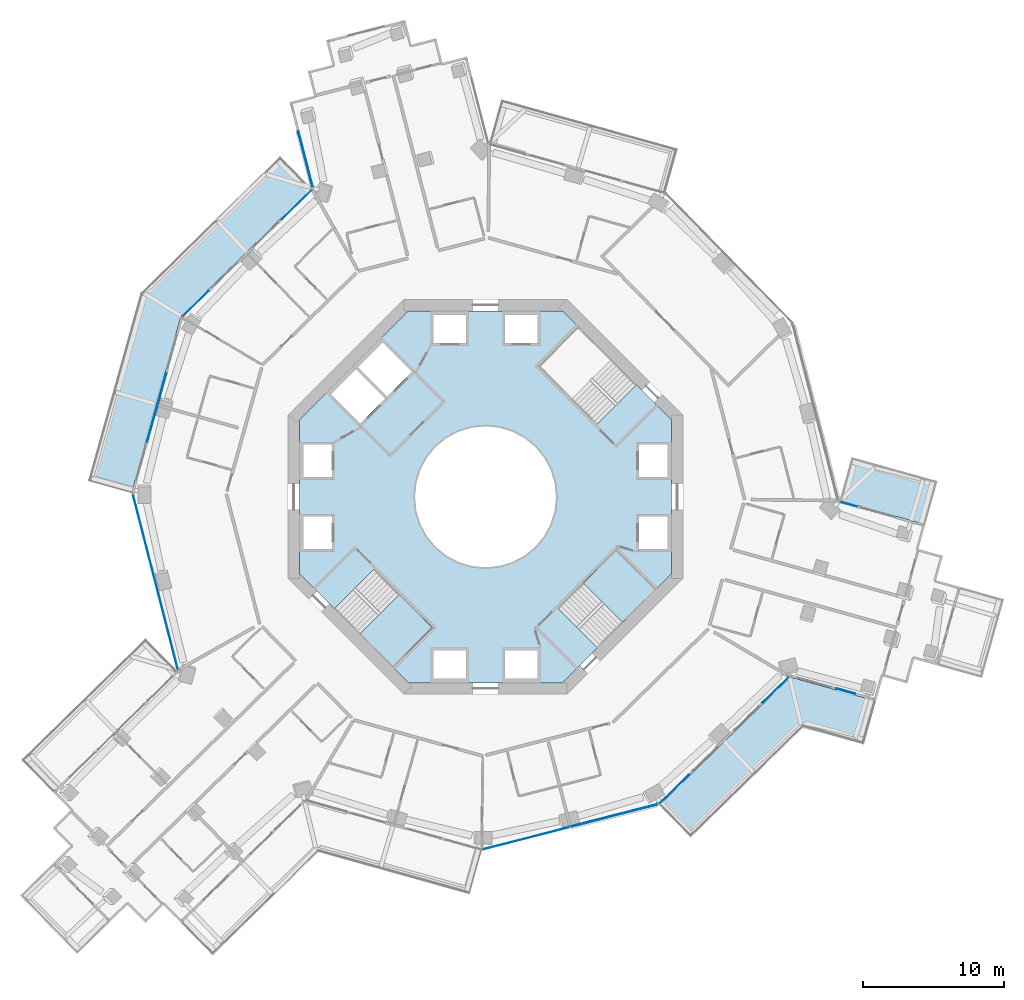
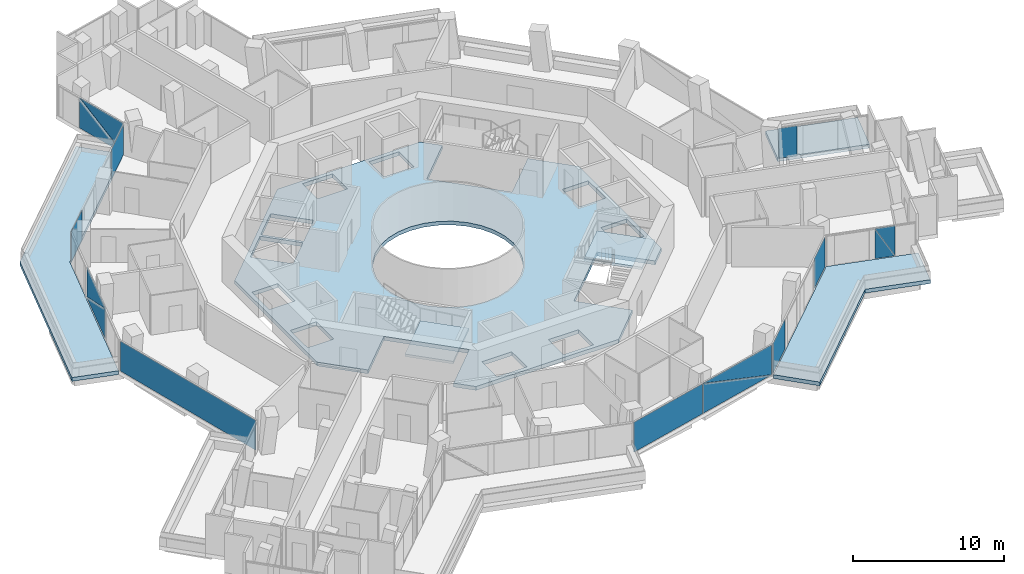
# One storey, part 14 of 26: 15 plates, 6 slabs, 10 elements without a shape of their own.
"""IFC4 building model written with IfcOpenShell, lengths in metres."""

from ifc_helpers import new_model, si_unit, direction, frame, origin, origin_2d, place, context, subcontext, project, spatial, polyline, rectangle, outline, extrude, material, layer, layer_set, type_object, element, aggregate, save


model = new_model("IFC4")

# Units and contexts
model_context = context("Model", 3, precision=1e-05, world=origin(), true_north=direction((0.0, 1.0)))
body_context = subcontext(model_context, "Body", "Model", "MODEL_VIEW")
ifc_project = project(units=[si_unit("LENGTHUNIT", "METRE"), si_unit("AREAUNIT", "SQUARE_METRE"), si_unit("VOLUMEUNIT", "CUBIC_METRE"), si_unit("PLANEANGLEUNIT", "RADIAN"), si_unit("MASSUNIT", "GRAM", prefix="KILO")], contexts=[model_context])

# Site, building, storey
site_placement = place(None, origin())
site = spatial("IfcSite", under=ifc_project, at=site_placement, CompositionType="ELEMENT")
building_placement = place(site_placement, origin())
building = spatial("IfcBuilding", under=site, at=building_placement, Name="Verdalira Terraces Hotel", CompositionType="ELEMENT")
storey_placement = place(building_placement, frame((0.0, 0.0, 93.0)))
storey = spatial("IfcBuildingStorey", under=building, at=storey_placement, Name="L21", CompositionType="ELEMENT", Elevation=93.0)

# Slabs
ifc_material_1 = material(Name="Precast concrete C40/50", Category="concrete")
ifc_layer_1 = layer(ifc_material_1, 0.31005859375)
ifc_layer_set_1 = layer_set([ifc_layer_1], Name="Balcony deck 310")
slab_type_1 = type_object("IfcSlabType", Name="Balcony deck 310", PredefinedType="FLOOR", material=ifc_layer_set_1)
slab_1_placement = place(storey_placement, frame((0.0, 0.0, -0.310059)))
element("IfcSlab", 1, at=slab_1_placement, inside=storey, type_object=slab_type_1, Name="Balcony deck", PredefinedType="FLOOR", context=body_context, shape_type="SweptSolid", body=[
    extrude(outline(polyline([(-24.468262, 14.470459), (-28.194824, 1.123535), (-25.112793, 0.262939), (-21.616699, 12.78418), (-12.328613, 21.879639), (-14.567627, 24.166016), (-24.468262, 14.470459)])), origin(), (0.0, 0.0, 1.0), 0.310059),
])
slab_2_placement = place(storey_placement, frame((0.0, 0.0, -0.310059)))
element("IfcSlab", 2, at=slab_2_placement, inside=storey, type_object=slab_type_1, Name="Balcony deck", PredefinedType="FLOOR", context=body_context, shape_type="SweptSolid", body=[
    extrude(outline(polyline([(26.847168, -17.566895), (27.707764, -14.484863), (21.616699, -12.78418), (12.328613, -21.879639), (14.567627, -24.166016), (22.535645, -16.363037), (26.847168, -17.566895)])), origin(), (0.0, 0.0, 1.0), 0.310059),
])
slab_3_placement = place(storey_placement, frame((0.0, 0.0, -0.310059)))
element("IfcSlab", 3, at=slab_3_placement, inside=storey, type_object=slab_type_1, Name="Balcony deck", PredefinedType="FLOOR", context=body_context, shape_type="SweptSolid", body=[
    extrude(outline(polyline([(25.973145, 2.819092), (25.112793, -0.262939), (31.203613, -1.963623), (32.064209, 1.118408), (25.973145, 2.819092)])), origin(), (0.0, 0.0, 1.0), 0.310059),
])

# Curtain wall, plates
ifc_material_2 = material(Name="Clear glass", Category="glass")
ifc_layer_2 = layer(ifc_material_2, 0.14990234375)
ifc_layer_set_2 = layer_set([ifc_layer_2], Name="CW1 curtain wall")
curtain_wall_type_1 = type_object("IfcCurtainWallType", Name="CW1 curtain wall", PredefinedType="NOTDEFINED", material=ifc_layer_set_2)
curtain_wall_1_placement = place(storey_placement, origin())
curtain_wall_1 = element("IfcCurtainWall", 4, at=curtain_wall_1_placement, inside=storey, type_object=curtain_wall_type_1, Name="CW1 curtain wall L21 edge 11", PredefinedType="NOTDEFINED")
ifc_material_3 = material(Name="Clear glass", Category="glass")
ifc_layer_3 = layer(ifc_material_3, 0.028076171875)
ifc_layer_set_3 = layer_set([ifc_layer_3], Name="CW1 glass unit 28")
plate_type_1 = type_object("IfcPlateType", Name="CW1 glass unit 28", PredefinedType="CURTAIN_PANEL", material=ifc_layer_set_3)
plate_1_placement = place(storey_placement, frame((-13.378174, 20.746826, 0.0), z_axis=(0.0, 0.0, 1.0), x_axis=(-0.71447268, -0.699663341, 0.0)))
plate_1 = element("IfcPlate", 5, at=plate_1_placement, type_object=plate_type_1, Name="CW1 glass unit", PredefinedType="CURTAIN_PANEL", context=body_context, shape_type="SweptSolid", body=[
    extrude(rectangle(XDim=2.965088, YDim=0.028076, at=origin_2d()), origin(), (0.0, 0.0, 1.0), 2.425049),
])
plate_2_placement = place(storey_placement, frame((-20.57666, 13.697754, 0.0), z_axis=(0.0, 0.0, 1.0), x_axis=(-0.71447268, -0.699663341, 0.0)))
plate_2 = element("IfcPlate", 6, at=plate_2_placement, type_object=plate_type_1, Name="CW1 glass unit", PredefinedType="CURTAIN_PANEL", context=body_context, shape_type="SweptSolid", body=[
    extrude(rectangle(XDim=2.564209, YDim=0.028076, at=origin_2d()), origin(), (0.0, 0.0, 1.0), 2.425049),
])
aggregate(curtain_wall_1, [plate_1, plate_2])

curtain_wall_2_placement = place(storey_placement, origin())
curtain_wall_2 = element("IfcCurtainWall", 7, at=curtain_wall_2_placement, inside=storey, type_object=curtain_wall_type_1, Name="CW1 curtain wall L21 edge 12", PredefinedType="NOTDEFINED")
plate_3_placement = place(storey_placement, frame((-23.327148, 6.327393, 1.212402), z_axis=(-0.963162567, 0.268919821, 0.0), x_axis=(-0.268919821, -0.963162567, 0.0)))
plate_3 = element("IfcPlate", 8, at=plate_3_placement, type_object=plate_type_1, Name="CW1 glass unit", PredefinedType="CURTAIN_PANEL", context=body_context, shape_type="SweptSolid", body=[
    extrude(outline(polyline([(-2.510742, -1.212402), (2.510742, -1.212402), (2.510742, 1.212402), (-2.510742, -1.212402)])), origin(), (0.0, 0.0, 1.0), 0.028076),
])
plate_4_placement = place(storey_placement, frame((-23.299072, 6.31958, 1.212402), z_axis=(-0.963162567, 0.268919821, 0.0), x_axis=(-0.268919821, -0.963162567, 0.0)))
plate_4 = element("IfcPlate", 9, at=plate_4_placement, type_object=plate_type_1, Name="CW1 glass unit", PredefinedType="CURTAIN_PANEL", context=body_context, shape_type="SweptSolid", body=[
    extrude(outline(polyline([(-2.510742, -1.212402), (2.510742, 1.212402), (-2.510742, 1.212402), (-2.510742, -1.212402)])), origin(), (0.0, 0.0, 1.0), 0.028076),
])
aggregate(curtain_wall_2, [plate_3, plate_4])

# Curtain wall, plate
curtain_wall_3_placement = place(storey_placement, origin())
curtain_wall_3 = element("IfcCurtainWall", 10, at=curtain_wall_3_placement, inside=storey, type_object=curtain_wall_type_1, Name="CW1 curtain wall L21 edge 13", PredefinedType="NOTDEFINED")
plate_5_placement = place(storey_placement, frame((-23.418457, -6.033691, 0.0), z_axis=(0.0, 0.0, 1.0), x_axis=(0.248689887, -0.968583161, 0.0)))
plate_5 = element("IfcPlate", 11, at=plate_5_placement, type_object=plate_type_1, Name="CW1 glass unit", PredefinedType="CURTAIN_PANEL", context=body_context, shape_type="SweptSolid", body=[
    extrude(rectangle(XDim=12.839844, YDim=0.028076, at=origin_2d()), origin(), (0.0, 0.0, 1.0), 2.425049),
])
aggregate(curtain_wall_3, [plate_5])

# Curtain wall, plates
curtain_wall_4_placement = place(storey_placement, origin())
curtain_wall_4 = element("IfcCurtainWall", 12, at=curtain_wall_4_placement, inside=storey, type_object=curtain_wall_type_1, Name="CW1 curtain wall L21 edge 26", PredefinedType="NOTDEFINED")
plate_6_placement = place(storey_placement, frame((2.900146, -24.223145, 0.0), z_axis=(0.0, 0.0, 1.0), x_axis=(0.968583161, 0.248689887, 0.0)))
plate_6 = element("IfcPlate", 13, at=plate_6_placement, type_object=plate_type_1, Name="CW1 glass unit", PredefinedType="CURTAIN_PANEL", context=body_context, shape_type="SweptSolid", body=[
    extrude(rectangle(XDim=6.369873, YDim=0.028076, at=origin_2d()), origin(), (0.0, 0.0, 1.0), 2.425049),
])
plate_7_placement = place(storey_placement, frame((9.124512, -22.610352, 1.212402), z_axis=(0.248689887, -0.968583161, 0.0), x_axis=(0.968583161, 0.248689887, 0.0)))
plate_7 = element("IfcPlate", 14, at=plate_7_placement, type_object=plate_type_1, Name="CW1 glass unit", PredefinedType="CURTAIN_PANEL", context=body_context, shape_type="SweptSolid", body=[
    extrude(outline(polyline([(-3.185059, -1.212402), (3.185059, -1.212402), (-3.185059, 1.212402), (-3.185059, -1.212402)])), origin(), (0.0, 0.0, 1.0), 0.028076),
])
plate_8_placement = place(storey_placement, frame((9.117188, -22.582275, 1.212402), z_axis=(0.248689887, -0.968583161, 0.0), x_axis=(0.968583161, 0.248689887, 0.0)))
plate_8 = element("IfcPlate", 15, at=plate_8_placement, type_object=plate_type_1, Name="CW1 glass unit", PredefinedType="CURTAIN_PANEL", context=body_context, shape_type="SweptSolid", body=[
    extrude(outline(polyline([(3.185059, -1.212402), (3.185059, 1.212402), (-3.185059, 1.212402), (3.185059, -1.212402)])), origin(), (0.0, 0.0, 1.0), 0.028076),
])
aggregate(curtain_wall_4, [plate_6, plate_7, plate_8])

curtain_wall_5_placement = place(storey_placement, origin())
curtain_wall_5 = element("IfcCurtainWall", 16, at=curtain_wall_5_placement, inside=storey, type_object=curtain_wall_type_1, Name="CW1 curtain wall L21 edge 27", PredefinedType="NOTDEFINED")
plate_9_placement = place(storey_placement, frame((13.392578, -20.73291, 0.0), z_axis=(0.0, 0.0, 1.0), x_axis=(0.71447268, 0.699663341, 0.0)))
plate_9 = element("IfcPlate", 17, at=plate_9_placement, type_object=plate_type_1, Name="CW1 glass unit", PredefinedType="CURTAIN_PANEL", context=body_context, shape_type="SweptSolid", body=[
    extrude(rectangle(XDim=2.924805, YDim=0.028076, at=origin_2d()), origin(), (0.0, 0.0, 1.0), 2.425049),
])
plate_10_placement = place(storey_placement, frame((20.591064, -13.683594, 0.0), z_axis=(0.0, 0.0, 1.0), x_axis=(0.71447268, 0.699663341, 0.0)))
plate_10 = element("IfcPlate", 18, at=plate_10_placement, type_object=plate_type_1, Name="CW1 glass unit", PredefinedType="CURTAIN_PANEL", context=body_context, shape_type="SweptSolid", body=[
    extrude(rectangle(XDim=2.604492, YDim=0.028076, at=origin_2d()), origin(), (0.0, 0.0, 1.0), 2.425049),
])
aggregate(curtain_wall_5, [plate_9, plate_10])

ifc_material_4 = material(Name="Clear glass", Category="glass")
ifc_layer_4 = layer(ifc_material_4, 0.14990234375)
ifc_layer_set_4 = layer_set([ifc_layer_4], Name="CW2 curtain wall")
curtain_wall_type_2 = type_object("IfcCurtainWallType", Name="CW2 curtain wall", PredefinedType="NOTDEFINED", material=ifc_layer_set_4)
curtain_wall_6_placement = place(storey_placement, origin())
curtain_wall_6 = element("IfcCurtainWall", 19, at=curtain_wall_6_placement, inside=storey, type_object=curtain_wall_type_2, Name="CW2 curtain wall L21 edge 10", PredefinedType="NOTDEFINED")
ifc_material_5 = material(Name="Clear glass", Category="glass")
ifc_layer_5 = layer(ifc_material_5, 0.031982421875)
ifc_layer_set_5 = layer_set([ifc_layer_5], Name="CW2 glass unit 32")
plate_type_2 = type_object("IfcPlateType", Name="CW2 glass unit 32", PredefinedType="CURTAIN_PANEL", material=ifc_layer_set_5)
plate_11_placement = place(storey_placement, frame((-12.765869, 23.947754, 1.212402), z_axis=(-0.968583161, -0.248689887, 0.0), x_axis=(0.248689887, -0.968583161, 0.0)))
plate_11 = element("IfcPlate", 20, at=plate_11_placement, type_object=plate_type_2, Name="CW2 glass unit", PredefinedType="CURTAIN_PANEL", context=body_context, shape_type="SweptSolid", body=[
    extrude(outline(polyline([(-2.041992, -1.212402), (2.041992, -1.212402), (-2.041992, 1.212402), (-2.041992, -1.212402)])), origin(), (0.0, 0.0, 1.0), 0.031982),
])
plate_12_placement = place(storey_placement, frame((-12.733887, 23.956055, 1.212402), z_axis=(-0.968583161, -0.248689887, 0.0), x_axis=(0.248689887, -0.968583161, 0.0)))
plate_12 = element("IfcPlate", 21, at=plate_12_placement, type_object=plate_type_2, Name="CW2 glass unit", PredefinedType="CURTAIN_PANEL", context=body_context, shape_type="SweptSolid", body=[
    extrude(outline(polyline([(2.041992, -1.212402), (2.041992, 1.212402), (-2.041992, 1.212402), (2.041992, -1.212402)])), origin(), (0.0, 0.0, 1.0), 0.031982),
])
aggregate(curtain_wall_6, [plate_11, plate_12])

curtain_wall_7_placement = place(storey_placement, origin())
curtain_wall_7 = element("IfcCurtainWall", 22, at=curtain_wall_7_placement, inside=storey, type_object=curtain_wall_type_2, Name="CW2 curtain wall L21 edge 28", PredefinedType="NOTDEFINED")
plate_13_placement = place(storey_placement, frame((25.545898, -13.786621, 1.212402), z_axis=(-0.268919821, -0.963162567, 0.0), x_axis=(0.963162567, -0.268919821, 0.0)))
plate_13 = element("IfcPlate", 23, at=plate_13_placement, type_object=plate_type_2, Name="CW2 glass unit", PredefinedType="CURTAIN_PANEL", context=body_context, shape_type="SweptSolid", body=[
    extrude(outline(polyline([(-0.690186, -1.212402), (0.690186, -1.212402), (-0.690186, 1.212402), (-0.690186, -1.212402)])), origin(), (0.0, 0.0, 1.0), 0.031982),
])
plate_14_placement = place(storey_placement, frame((25.554688, -13.754883, 1.212402), z_axis=(-0.268919821, -0.963162567, 0.0), x_axis=(0.963162567, -0.268919821, 0.0)))
plate_14 = element("IfcPlate", 24, at=plate_14_placement, type_object=plate_type_2, Name="CW2 glass unit", PredefinedType="CURTAIN_PANEL", context=body_context, shape_type="SweptSolid", body=[
    extrude(outline(polyline([(0.690186, -1.212402), (0.690186, 1.212402), (-0.690186, 1.212402), (0.690186, -1.212402)])), origin(), (0.0, 0.0, 1.0), 0.031982),
])
aggregate(curtain_wall_7, [plate_13, plate_14])

# Curtain wall, plate
curtain_wall_8_placement = place(storey_placement, origin())
curtain_wall_8 = element("IfcCurtainWall", 25, at=curtain_wall_8_placement, inside=storey, type_object=curtain_wall_type_2, Name="CW2 curtain wall L21 edge 38", PredefinedType="NOTDEFINED")
plate_15_placement = place(storey_placement, frame((25.75415, -0.52002, 0.0), z_axis=(0.0, 0.0, 1.0), x_axis=(-0.963162567, 0.268919821, 0.0)))
plate_15 = element("IfcPlate", 26, at=plate_15_placement, type_object=plate_type_2, Name="CW2 glass unit", PredefinedType="CURTAIN_PANEL", context=body_context, shape_type="SweptSolid", body=[
    extrude(rectangle(XDim=1.233643, YDim=0.031982, at=origin_2d()), origin(), (0.0, 0.0, 1.0), 2.425049),
])
aggregate(curtain_wall_8, [plate_15])

# Slab
ifc_material_6 = material(Name="Concrete C40", Category="concrete")
ifc_layer_6 = layer(ifc_material_6, 0.31005859375)
ifc_layer_set_6 = layer_set([ifc_layer_6], Name="Core floor slab 310 mm")
slab_type_2 = type_object("IfcSlabType", Name="Core floor slab 310 mm", PredefinedType="FLOOR", material=ifc_layer_set_6)
slab_4_placement = place(storey_placement, frame((0.0, 0.0, -0.310059)))
element("IfcSlab", 27, at=slab_4_placement, inside=storey, type_object=slab_type_2, Name="L21 core floor", PredefinedType="FLOOR", context=body_context, shape_type="SweptSolid", body=[
    extrude(outline(polyline([(-5.467529, 13.199951), (5.467529, 13.199951), (6.562012, 12.105713), (3.719482, 9.263184), (7.869629, 5.112793), (10.712402, 7.955322), (13.199951, 5.467529), (13.199951, -5.467529), (12.105713, -6.562012), (9.263184, -3.719482), (5.112793, -7.869629), (7.955322, -10.712402), (5.467529, -13.199951), (-5.467529, -13.199951), (-6.562012, -12.105713), (-3.719482, -9.263184), (-7.869629, -5.112793), (-10.712402, -7.955322), (-13.199951, -5.467529), (-13.199951, 5.467529), (-5.467529, 13.199951)]), holes=[polyline([(12.899902, -3.699951), (12.899902, -1.399902), (10.899902, -1.399902), (10.899902, -3.699951), (12.899902, -3.699951)]), polyline([(12.899902, 1.399902), (12.899902, 3.699951), (10.899902, 3.699951), (10.899902, 1.399902), (12.899902, 1.399902)]), polyline([(1.399902, 10.899902), (3.699951, 10.899902), (3.699951, 12.899902), (1.399902, 12.899902), (1.399902, 10.899902)]), polyline([(-3.699951, 10.899902), (-1.399902, 10.899902), (-1.399902, 12.899902), (-3.699951, 12.899902), (-3.699951, 10.899902)]), polyline([(-12.899902, 3.699951), (-12.899902, 1.399902), (-10.899902, 1.399902), (-10.899902, 3.699951), (-12.899902, 3.699951)]), polyline([(-12.899902, -1.399902), (-12.899902, -3.699951), (-10.899902, -3.699951), (-10.899902, -1.399902), (-12.899902, -1.399902)]), polyline([(-1.399902, -10.899902), (-3.699951, -10.899902), (-3.699951, -12.899902), (-1.399902, -12.899902), (-1.399902, -10.899902)]), polyline([(3.699951, -10.899902), (1.399902, -10.899902), (1.399902, -12.899902), (3.699951, -12.899902), (3.699951, -10.899902)]), polyline([(-9.051025, 9.192383), (-6.965088, 7.106445), (-5.197266, 8.874268), (-7.283203, 10.960205), (-9.051025, 9.192383)]), polyline([(-9.192383, 9.051025), (-10.960205, 7.283203), (-8.874268, 5.197266), (-7.106445, 6.965088), (-9.192383, 9.051025)]), polyline([(3.5354, 3.5354), (2.777832, 4.157227), (1.91333, 4.619385), (0.975586, 4.903809), (0.0, 5.0), (-0.975586, 4.903809), (-1.91333, 4.619385), (-2.777832, 4.157227), (-3.5354, 3.5354), (-4.157227, 2.777832), (-4.619385, 1.91333), (-4.903809, 0.975586), (-5.0, 0.0), (-4.903809, -0.975586), (-4.619385, -1.91333), (-4.157227, -2.777832), (-3.5354, -3.5354), (-2.777832, -4.157227), (-1.91333, -4.619385), (-0.975586, -4.903809), (0.0, -5.0), (0.975586, -4.903809), (1.91333, -4.619385), (2.777832, -4.157227), (3.5354, -3.5354), (4.157227, -2.777832), (4.619385, -1.91333), (4.903809, -0.975586), (5.0, 0.0), (4.903809, 0.975586), (4.619385, 1.91333), (4.157227, 2.777832), (3.5354, 3.5354)])]), origin(), (0.0, 0.0, 1.0), 0.310059),
])

# Stair, slab
ifc_material_7 = material(Name="Concrete C40", Category="concrete")
stair_type = type_object("IfcStairType", Name="Core stair 20 risers 1950 mm wide", PredefinedType="HALF_TURN_STAIR", material=ifc_material_7)
stair_1_placement = place(storey_placement, origin())
stair_1 = element("IfcStair", 28, at=stair_1_placement, inside=storey, type_object=stair_type, Name="L21 Exit stair ST2", PredefinedType="HALF_TURN_STAIR")
ifc_material_8 = material(Name="Concrete C40", Category="concrete")
ifc_layer_7 = layer(ifc_material_8, 0.199951171875)
ifc_layer_set_7 = layer_set([ifc_layer_7], Name="Core stair landing 200 mm")
slab_type_3 = type_object("IfcSlabType", Name="Core stair landing 200 mm", PredefinedType="LANDING", material=ifc_layer_set_7)
slab_5_placement = place(storey_placement, frame((0.0, 0.0, 1.550049)))
slab_5 = element("IfcSlab", 29, at=slab_5_placement, type_object=slab_type_3, Name="ST2 landing 1", PredefinedType="LANDING", context=body_context, shape_type="SweptSolid", body=[
    extrude(outline(polyline([(-8.931152, -9.736572), (-6.576172, -12.091553), (-3.747559, -9.263184), (-6.102783, -6.907959), (-8.931152, -9.736572)])), origin(), (0.0, 0.0, 1.0), 0.199951),
])
aggregate(stair_1, [slab_5])

stair_2_placement = place(storey_placement, origin())
stair_2 = element("IfcStair", 30, at=stair_2_placement, inside=storey, type_object=stair_type, Name="L21 Exit stair ST3", PredefinedType="HALF_TURN_STAIR")
slab_6_placement = place(storey_placement, frame((0.0, 0.0, 1.550049)))
slab_6 = element("IfcSlab", 31, at=slab_6_placement, type_object=slab_type_3, Name="ST3 landing 1", PredefinedType="LANDING", context=body_context, shape_type="SweptSolid", body=[
    extrude(outline(polyline([(9.736572, -8.931152), (12.091553, -6.576172), (9.263184, -3.747559), (6.907959, -6.102783), (9.736572, -8.931152)])), origin(), (0.0, 0.0, 1.0), 0.199951),
])
aggregate(stair_2, [slab_6])

save(model, "model.ifc")
